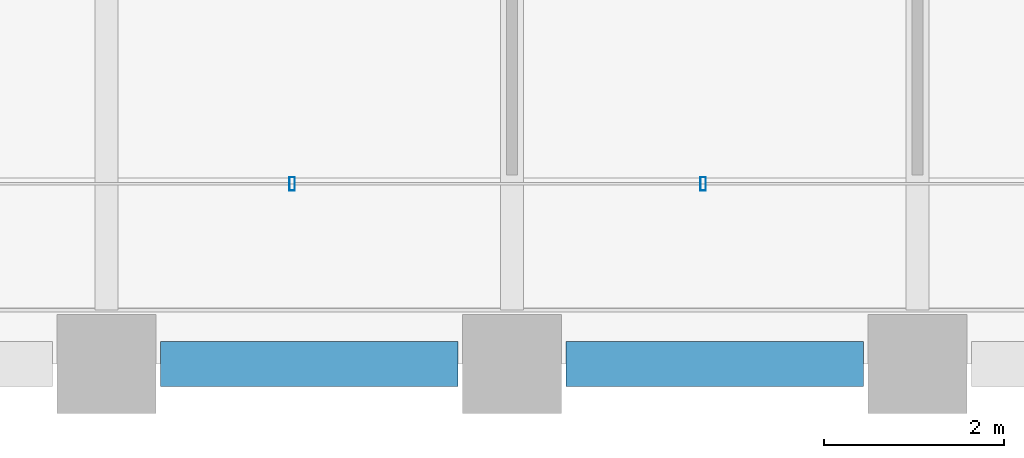
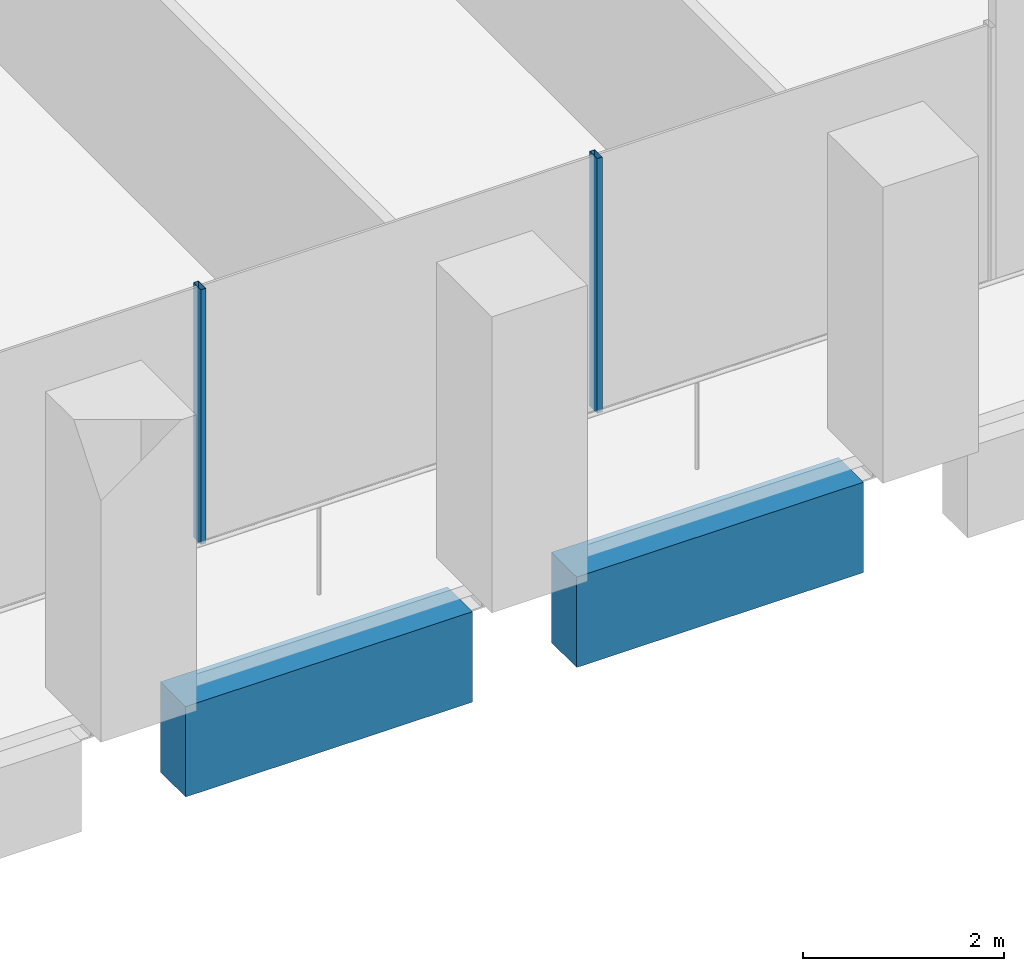
# One storey, part 3 of 55: 2 beams, 2 members, 1 element without a shape of its own.
"""IFC4 building model written with IfcOpenShell, lengths in metres."""

from ifc_helpers import new_model, si_unit, direction, frame, origin, origin_2d, place, context, subcontext, project, spatial, rectangle, hollow_rectangle, extrude, material, material_profile, profile_set, type_object, element, aggregate, save


model = new_model("IFC4")

# Units and contexts
model_context = context("Model", 3, precision=1e-05, world=origin(), true_north=direction((0.0, 1.0)))
body_context = subcontext(model_context, "Body", "Model", "MODEL_VIEW")
ifc_project = project(units=[si_unit("LENGTHUNIT", "METRE"), si_unit("AREAUNIT", "SQUARE_METRE"), si_unit("VOLUMEUNIT", "CUBIC_METRE"), si_unit("PLANEANGLEUNIT", "RADIAN"), si_unit("MASSUNIT", "GRAM", prefix="KILO")], contexts=[model_context])

# Site, building, storey
site_placement = place(None, origin())
site = spatial("IfcSite", under=ifc_project, at=site_placement, CompositionType="ELEMENT")
building_placement = place(site_placement, origin())
building = spatial("IfcBuilding", under=site, at=building_placement, Name="Altepetl Exchange Towers", CompositionType="ELEMENT")
storey_placement = place(building_placement, frame((0.0, 0.0, 47.39990234375)))
storey = spatial("IfcBuildingStorey", under=building, at=storey_placement, Name="L10", CompositionType="ELEMENT", Elevation=47.39990234375)

# Curtain wall, members
ifc_material_1 = material(Name="Aluminium 6063-T6 glazing", Category="aluminium")
curtain_wall_type = type_object("IfcCurtainWallType", Name="Loggia glazing system", PredefinedType="NOTDEFINED", material=ifc_material_1)
curtain_wall_placement = place(storey_placement, origin())
curtain_wall = element("IfcCurtainWall", 1, at=curtain_wall_placement, inside=storey, type_object=curtain_wall_type, Name="CW1 run", PredefinedType="NOTDEFINED")
ifc_material_2 = material(Name="Aluminium 6063-T6", Category="aluminium")
ifc_material_profile_1 = material_profile(ifc_material_2, hollow_rectangle(XDim=0.06005859375, YDim=0.14990234375, WallThickness=0.0029296875, at=origin_2d()), Name="Mullion 60x150 aluminium")
ifc_profile_set_1 = profile_set([ifc_material_profile_1], Name="Aluminium 6063-T6")
member_type = type_object("IfcMemberType", Name="Mullion 60x150 aluminium", PredefinedType="MULLION", material=ifc_profile_set_1)
member_1_placement = place(storey_placement, frame((38.060791015625, 29.0, 0.0)))
member_1 = element("IfcMember", 2, at=member_1_placement, type_object=member_type, Name="MU1 mullion", PredefinedType="MULLION", context=body_context, shape_type="SweptSolid", body=[
    extrude(hollow_rectangle(XDim=0.06005859375, YDim=0.14990234375, WallThickness=0.0029296875, at=origin_2d()), origin(), (0.0, 0.0, 1.0), 3.10009765625),
])
member_2_placement = place(storey_placement, frame((42.621337890625, 29.0, 0.0)))
member_2 = element("IfcMember", 3, at=member_2_placement, type_object=member_type, Name="MU1 mullion", PredefinedType="MULLION", context=body_context, shape_type="SweptSolid", body=[
    extrude(hollow_rectangle(XDim=0.06005859375, YDim=0.14990234375, WallThickness=0.0029296875, at=origin_2d()), origin(), (0.0, 0.0, 1.0), 3.10009765625),
])
aggregate(curtain_wall, [member_1, member_2])

# Beams
ifc_material_3 = material(Name="Concrete C50/60 precast with cantera blanca facing", Category="concrete")
ifc_material_profile_2 = material_profile(ifc_material_3, rectangle(XDim=0.5, YDim=1.10009765625, at=origin_2d()), Name="500 x 1100")
ifc_profile_set_2 = profile_set([ifc_material_profile_2], Name="Concrete C50/60 precast with cantera blanca facing")
beam_type = type_object("IfcBeamType", Name="Spandrel beam 500x1100 cantera blanca", PredefinedType="SPANDREL", material=ifc_profile_set_2)
for number, where, z_axis, x_axis, name in (
    (4, (36.60009765625, 27.0, -0.699951171875), (1.0, 0.0, 0.0), (0.0, 1.0, 0.0), "sp:A:L10:001"),
    (5, (41.10009765625, 27.0, -0.699951171875), (1.0, 0.0, 0.0), (0.0, 1.0, 0.0), "sp:A:L10:002"),
):
    element("IfcBeam", number, at=place(storey_placement, frame(where, z_axis=z_axis, x_axis=x_axis)), inside=storey, type_object=beam_type, Name=name, PredefinedType="SPANDREL", context=body_context, shape_type="SweptSolid", body=[
        extrude(rectangle(XDim=0.5, YDim=1.10009765625, at=origin_2d()), origin(), (0.0, 0.0, 1.0), 3.2998046875),
    ])

save(model, "model.ifc")
